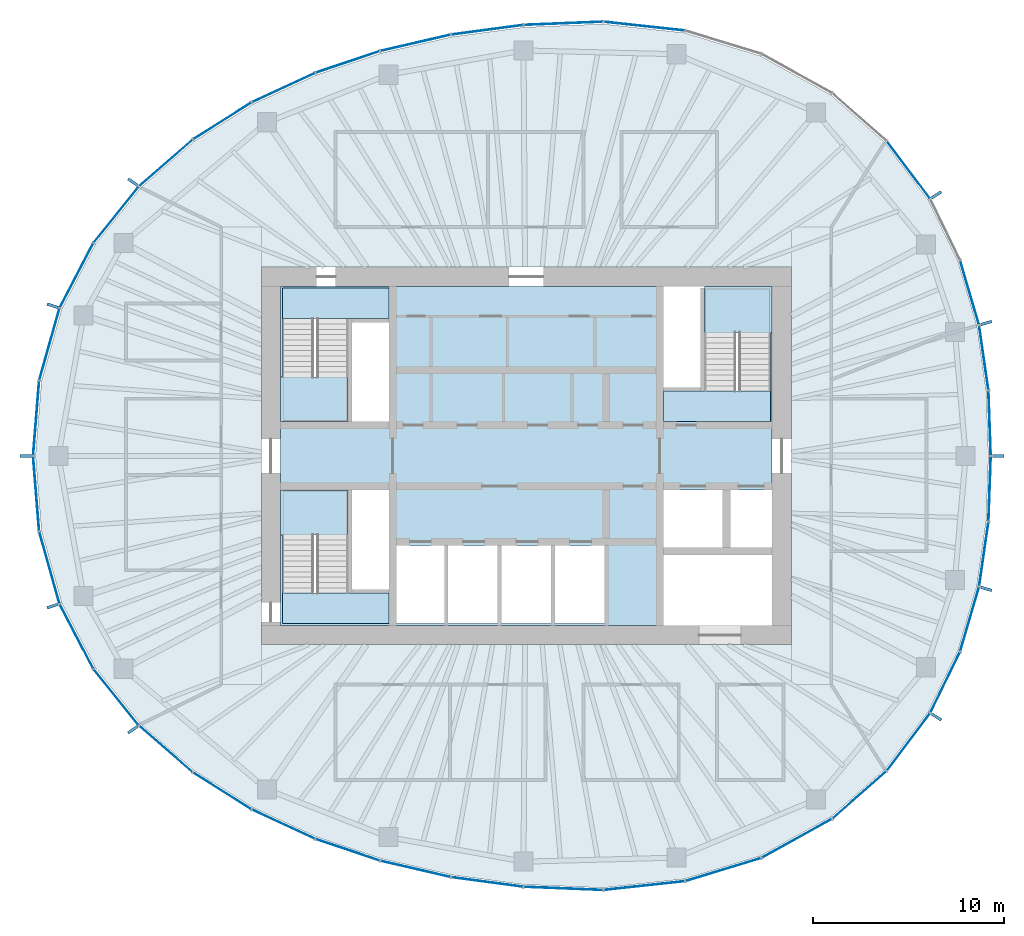
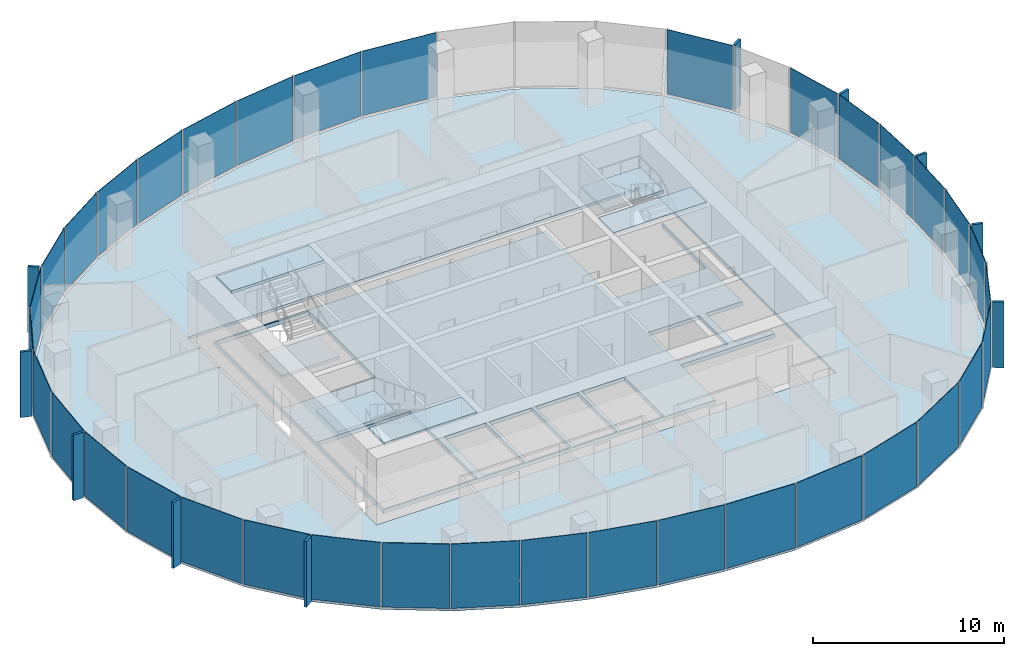
# One storey, part 7 of 11: 46 plates, 8 slabs, 22 elements without a shape of their own.
"""IFC4 building model written with IfcOpenShell, lengths in metres."""

from ifc_helpers import new_model, si_unit, direction, frame, origin, origin_2d, place, context, subcontext, project, spatial, polyline, rectangle, outline, extrude, material, layer, layer_set, type_object, element, aggregate, save


model = new_model("IFC4")

# Units and contexts
model_context = context("Model", 3, precision=1e-05, world=origin(), true_north=direction((0.0, 1.0)))
body_context = subcontext(model_context, "Body", "Model", "MODEL_VIEW")
ifc_project = project(units=[si_unit("LENGTHUNIT", "METRE"), si_unit("AREAUNIT", "SQUARE_METRE"), si_unit("VOLUMEUNIT", "CUBIC_METRE"), si_unit("PLANEANGLEUNIT", "RADIAN"), si_unit("MASSUNIT", "GRAM", prefix="KILO")], contexts=[model_context])

# Site, building, storey
site_placement = place(None, origin())
site = spatial("IfcSite", under=ifc_project, at=site_placement, CompositionType="ELEMENT")
building_placement = place(site_placement, origin())
building = spatial("IfcBuilding", under=site, at=building_placement, Name="Ghaith Harvest Tower", CompositionType="ELEMENT")
storey_placement = place(building_placement, frame((0.0, 0.0, 325.800048828125)))
storey = spatial("IfcBuildingStorey", under=building, at=storey_placement, Name="L73", CompositionType="ELEMENT", Elevation=325.800048828125)

# Curtain wall, plates
ifc_material_1 = material(Name="Black anodised aluminium and fritted glass", Category="aluminium")
curtain_wall_type = type_object("IfcCurtainWallType", Name="CW-T CURTAIN WALL", PredefinedType="NOTDEFINED", material=ifc_material_1)
curtain_wall_1_placement = place(storey_placement, origin())
curtain_wall_1 = element("IfcCurtainWall", 1, at=curtain_wall_1_placement, inside=storey, type_object=curtain_wall_type, Name="Curtain wall CW-T bay 01 L73", PredefinedType="NOTDEFINED")
ifc_material_2 = material(Name="Glass, dark solar-control fritted double glazed unit", Category="glass")
ifc_layer_1 = layer(ifc_material_2, 0.033935546875)
ifc_layer_set_1 = layer_set([ifc_layer_1], Name="CW-T VISION PANEL")
plate_type_1 = type_object("IfcPlateType", Name="CW-T VISION PANEL", PredefinedType="CURTAIN_PANEL", material=ifc_layer_set_1)
plate_1_placement = place(storey_placement, frame((24.308837890625, 1.716796875, 0.079833984375), z_axis=(0.0, 0.0, 1.0), x_axis=(-0.035536161859, 0.999368391135, 0.0)))
plate_1 = element("IfcPlate", 2, at=plate_1_placement, type_object=plate_type_1, Name="CW-T glass unit 1 bay 01 L73", PredefinedType="CURTAIN_PANEL", context=body_context, shape_type="SweptSolid", body=[
    extrude(rectangle(XDim=3.35595703125, YDim=0.033935546875, at=origin_2d()), origin(), (0.0, 0.0, 1.0), 4.1201171875),
])
plate_2_placement = place(storey_placement, frame((24.00048828125, 5.1494140625, 0.079833984375), z_axis=(0.0, 0.0, 1.0), x_axis=(-0.142729771229, 0.989761694755, 0.0)))
plate_2 = element("IfcPlate", 3, at=plate_2_placement, type_object=plate_type_1, Name="CW-T glass unit 2 bay 01 L73", PredefinedType="CURTAIN_PANEL", context=body_context, shape_type="SweptSolid", body=[
    extrude(rectangle(XDim=3.38671875, YDim=0.033935546875, at=origin_2d()), origin(), (0.0, 0.0, 1.0), 4.1201171875),
])
aggregate(curtain_wall_1, [plate_1, plate_2])

# Curtain wall, plate
curtain_wall_2_placement = place(storey_placement, origin())
curtain_wall_2 = element("IfcCurtainWall", 4, at=curtain_wall_2_placement, inside=storey, type_object=curtain_wall_type, Name="Curtain wall CW-T bay 02 L73", PredefinedType="NOTDEFINED")
plate_3_placement = place(storey_placement, frame((23.253662109375, 8.56884765625, 0.079833984375), z_axis=(0.0, 0.0, 1.0), x_axis=(-0.281344622776, 0.959606796159, 0.0)))
plate_3 = element("IfcPlate", 5, at=plate_3_placement, type_object=plate_type_1, Name="CW-T glass unit 1 bay 02 L73", PredefinedType="CURTAIN_PANEL", context=body_context, shape_type="SweptSolid", body=[
    extrude(rectangle(XDim=3.470703125, YDim=0.033935546875, at=origin_2d()), origin(), (0.0, 0.0, 1.0), 4.1201171875),
])
aggregate(curtain_wall_2, [plate_3])

curtain_wall_3_placement = place(storey_placement, origin())
curtain_wall_3 = element("IfcCurtainWall", 6, at=curtain_wall_3_placement, inside=storey, type_object=curtain_wall_type, Name="Curtain wall CW-T bay 03 L73", PredefinedType="NOTDEFINED")
plate_4_placement = place(storey_placement, frame((20.045166015625, 15.006103515625, 0.079833984375), z_axis=(0.0, 0.0, 1.0), x_axis=(-0.601047892764, 0.799213007029, 0.0)))
plate_4 = element("IfcPlate", 7, at=plate_4_placement, type_object=plate_type_1, Name="CW-T glass unit 1 bay 03 L73", PredefinedType="CURTAIN_PANEL", context=body_context, shape_type="SweptSolid", body=[
    extrude(rectangle(XDim=3.7265625, YDim=0.033935546875, at=origin_2d()), origin(), (0.0, 0.0, 1.0), 4.1201171875),
])
aggregate(curtain_wall_3, [plate_4])

# Curtain wall, plates
curtain_wall_4_placement = place(storey_placement, origin())
curtain_wall_4 = element("IfcCurtainWall", 8, at=curtain_wall_4_placement, inside=storey, type_object=curtain_wall_type, Name="Curtain wall CW-T bay 05 L73", PredefinedType="NOTDEFINED")
plate_5_placement = place(storey_placement, frame((6.188720703125, 22.542724609375, 0.079833984375), z_axis=(0.0, 0.0, 1.0), x_axis=(-0.994142883447, 0.108073712304, 0.0)))
plate_5 = element("IfcPlate", 9, at=plate_5_placement, type_object=plate_type_1, Name="CW-T glass unit 1 bay 05 L73", PredefinedType="CURTAIN_PANEL", context=body_context, shape_type="SweptSolid", body=[
    extrude(rectangle(XDim=4.24755859375, YDim=0.033935546875, at=origin_2d()), origin(), (0.0, 0.0, 1.0), 4.1201171875),
])
plate_6_placement = place(storey_placement, frame((1.94140625, 22.691162109375, 0.079833984375), z_axis=(0.0, 0.0, 1.0), x_axis=(-0.999173925852, -0.040638231968, 0.0)))
plate_6 = element("IfcPlate", 10, at=plate_6_placement, type_object=plate_type_1, Name="CW-T glass unit 2 bay 05 L73", PredefinedType="CURTAIN_PANEL", context=body_context, shape_type="SweptSolid", body=[
    extrude(rectangle(XDim=4.115966796875, YDim=0.033935546875, at=origin_2d()), origin(), (0.0, 0.0, 1.0), 4.1201171875),
])
aggregate(curtain_wall_4, [plate_5, plate_6])

curtain_wall_5_placement = place(storey_placement, origin())
curtain_wall_5 = element("IfcCurtainWall", 11, at=curtain_wall_5_placement, inside=storey, type_object=curtain_wall_type, Name="Curtain wall CW-T bay 06 L73", PredefinedType="NOTDEFINED")
plate_7_placement = place(storey_placement, frame((-2.050537109375, 22.352294921875, 0.079833984375), z_axis=(0.0, 0.0, 1.0), x_axis=(-0.991165262661, -0.132632658474, 0.0)))
plate_7 = element("IfcPlate", 12, at=plate_7_placement, type_object=plate_type_1, Name="CW-T glass unit 1 bay 06 L73", PredefinedType="CURTAIN_PANEL", context=body_context, shape_type="SweptSolid", body=[
    extrude(rectangle(XDim=3.74560546875, YDim=0.033935546875, at=origin_2d()), origin(), (0.0, 0.0, 1.0), 4.1201171875),
])
plate_8_placement = place(storey_placement, frame((-5.80859375, 21.66845703125, 0.079833984375), z_axis=(0.0, 0.0, 1.0), x_axis=(-0.974342245415, -0.225071519297, 0.0)))
plate_8 = element("IfcPlate", 13, at=plate_8_placement, type_object=plate_type_1, Name="CW-T glass unit 2 bay 06 L73", PredefinedType="CURTAIN_PANEL", context=body_context, shape_type="SweptSolid", body=[
    extrude(rectangle(XDim=3.742431640625, YDim=0.033935546875, at=origin_2d()), origin(), (0.0, 0.0, 1.0), 4.1201171875),
])
aggregate(curtain_wall_5, [plate_7, plate_8])

curtain_wall_6_placement = place(storey_placement, origin())
curtain_wall_6 = element("IfcCurtainWall", 14, at=curtain_wall_6_placement, inside=storey, type_object=curtain_wall_type, Name="Curtain wall CW-T bay 07 L73", PredefinedType="NOTDEFINED")
plate_9_placement = place(storey_placement, frame((-9.369140625, 20.665771484375, 0.079833984375), z_axis=(0.0, 0.0, 1.0), x_axis=(-0.947586403329, -0.319499621637, 0.0)))
plate_9 = element("IfcPlate", 15, at=plate_9_placement, type_object=plate_type_1, Name="CW-T glass unit 1 bay 07 L73", PredefinedType="CURTAIN_PANEL", context=body_context, shape_type="SweptSolid", body=[
    extrude(rectangle(XDim=3.50439453125, YDim=0.033935546875, at=origin_2d()), origin(), (0.0, 0.0, 1.0), 4.1201171875),
])
plate_10_placement = place(storey_placement, frame((-12.736083984375, 19.3203125, 0.079833984375), z_axis=(0.0, 0.0, 1.0), x_axis=(-0.907450165401, -0.420159728334, 0.0)))
plate_10 = element("IfcPlate", 16, at=plate_10_placement, type_object=plate_type_1, Name="CW-T glass unit 2 bay 07 L73", PredefinedType="CURTAIN_PANEL", context=body_context, shape_type="SweptSolid", body=[
    extrude(rectangle(XDim=3.597900390625, YDim=0.033935546875, at=origin_2d()), origin(), (0.0, 0.0, 1.0), 4.1201171875),
])
aggregate(curtain_wall_6, [plate_9, plate_10])

curtain_wall_7_placement = place(storey_placement, origin())
curtain_wall_7 = element("IfcCurtainWall", 17, at=curtain_wall_7_placement, inside=storey, type_object=curtain_wall_type, Name="Curtain wall CW-T bay 08 L73", PredefinedType="NOTDEFINED")
plate_11_placement = place(storey_placement, frame((-15.94970703125, 17.57421875, 0.079833984375), z_axis=(0.0, 0.0, 1.0), x_axis=(-0.846043473903, -0.533113909279, 0.0)))
plate_11 = element("IfcPlate", 18, at=plate_11_placement, type_object=plate_type_1, Name="CW-T glass unit 1 bay 08 L73", PredefinedType="CURTAIN_PANEL", context=body_context, shape_type="SweptSolid", body=[
    extrude(rectangle(XDim=3.572021484375, YDim=0.033935546875, at=origin_2d()), origin(), (0.0, 0.0, 1.0), 4.1201171875),
])
plate_12_placement = place(storey_placement, frame((-18.909423828125, 15.371337890625, 0.079833984375), z_axis=(0.0, 0.0, 1.0), x_axis=(-0.754828549513, -0.655922145411, 0.0)))
plate_12 = element("IfcPlate", 19, at=plate_12_placement, type_object=plate_type_1, Name="CW-T glass unit 2 bay 08 L73", PredefinedType="CURTAIN_PANEL", context=body_context, shape_type="SweptSolid", body=[
    extrude(rectangle(XDim=3.668701171875, YDim=0.033935546875, at=origin_2d()), origin(), (0.0, 0.0, 1.0), 4.1201171875),
])
aggregate(curtain_wall_7, [plate_11, plate_12])

curtain_wall_8_placement = place(storey_placement, origin())
curtain_wall_8 = element("IfcCurtainWall", 20, at=curtain_wall_8_placement, inside=storey, type_object=curtain_wall_type, Name="Curtain wall CW-T bay 09 L73", PredefinedType="NOTDEFINED")
plate_13_placement = place(storey_placement, frame((-21.515380859375, 12.6591796875, 0.079833984375), z_axis=(0.0, 0.0, 1.0), x_axis=(-0.626229505742, -0.779638766441, 0.0)))
plate_13 = element("IfcPlate", 21, at=plate_13_placement, type_object=plate_type_1, Name="CW-T glass unit 1 bay 09 L73", PredefinedType="CURTAIN_PANEL", context=body_context, shape_type="SweptSolid", body=[
    extrude(rectangle(XDim=3.723388671875, YDim=0.033935546875, at=origin_2d()), origin(), (0.0, 0.0, 1.0), 4.1201171875),
])
plate_14_placement = place(storey_placement, frame((-23.594482421875, 9.4677734375, 0.079833984375), z_axis=(0.0, 0.0, 1.0), x_axis=(-0.461229945578, -0.887280641794, 0.0)))
plate_14 = element("IfcPlate", 22, at=plate_14_placement, type_object=plate_type_1, Name="CW-T glass unit 2 bay 09 L73", PredefinedType="CURTAIN_PANEL", context=body_context, shape_type="SweptSolid", body=[
    extrude(rectangle(XDim=3.771728515625, YDim=0.033935546875, at=origin_2d()), origin(), (0.0, 0.0, 1.0), 4.1201171875),
])
aggregate(curtain_wall_8, [plate_13, plate_14])

curtain_wall_9_placement = place(storey_placement, origin())
curtain_wall_9 = element("IfcCurtainWall", 23, at=curtain_wall_9_placement, inside=storey, type_object=curtain_wall_type, Name="Curtain wall CW-T bay 10 L73", PredefinedType="NOTDEFINED")
plate_15_placement = place(storey_placement, frame((-25.017333984375, 5.85546875, 0.079833984375), z_axis=(0.0, 0.0, 1.0), x_axis=(-0.270355239749, -0.962760637095, 0.0)))
plate_15 = element("IfcPlate", 24, at=plate_15_placement, type_object=plate_type_1, Name="CW-T glass unit 1 bay 10 L73", PredefinedType="CURTAIN_PANEL", context=body_context, shape_type="SweptSolid", body=[
    extrude(rectangle(XDim=3.874267578125, YDim=0.033935546875, at=origin_2d()), origin(), (0.0, 0.0, 1.0), 4.1201171875),
])
plate_16_placement = place(storey_placement, frame((-25.7109375, 1.97607421875, 0.079833984375), z_axis=(0.0, 0.0, 1.0), x_axis=(-0.080257648011, -0.99677415192, 0.0)))
plate_16 = element("IfcPlate", 25, at=plate_16_placement, type_object=plate_type_1, Name="CW-T glass unit 2 bay 10 L73", PredefinedType="CURTAIN_PANEL", context=body_context, shape_type="SweptSolid", body=[
    extrude(rectangle(XDim=3.884765625, YDim=0.033935546875, at=origin_2d()), origin(), (0.0, 0.0, 1.0), 4.1201171875),
])
aggregate(curtain_wall_9, [plate_15, plate_16])

curtain_wall_10_placement = place(storey_placement, origin())
curtain_wall_10 = element("IfcCurtainWall", 26, at=curtain_wall_10_placement, inside=storey, type_object=curtain_wall_type, Name="Curtain wall CW-T bay 11 L73", PredefinedType="NOTDEFINED")
plate_17_placement = place(storey_placement, frame((-25.7109375, -1.97607421875, 0.079833984375), z_axis=(0.0, 0.0, 1.0), x_axis=(0.080257648324, -0.996774151895, 0.0)))
plate_17 = element("IfcPlate", 27, at=plate_17_placement, type_object=plate_type_1, Name="CW-T glass unit 1 bay 11 L73", PredefinedType="CURTAIN_PANEL", context=body_context, shape_type="SweptSolid", body=[
    extrude(rectangle(XDim=3.884765625, YDim=0.033935546875, at=origin_2d()), origin(), (0.0, 0.0, 1.0), 4.1201171875),
])
plate_18_placement = place(storey_placement, frame((-25.017333984375, -5.85546875, 0.079833984375), z_axis=(0.0, 0.0, 1.0), x_axis=(0.27035523953, -0.962760637157, 0.0)))
plate_18 = element("IfcPlate", 28, at=plate_18_placement, type_object=plate_type_1, Name="CW-T glass unit 2 bay 11 L73", PredefinedType="CURTAIN_PANEL", context=body_context, shape_type="SweptSolid", body=[
    extrude(rectangle(XDim=3.874267578125, YDim=0.033935546875, at=origin_2d()), origin(), (0.0, 0.0, 1.0), 4.1201171875),
])
aggregate(curtain_wall_10, [plate_17, plate_18])

curtain_wall_11_placement = place(storey_placement, origin())
curtain_wall_11 = element("IfcCurtainWall", 29, at=curtain_wall_11_placement, inside=storey, type_object=curtain_wall_type, Name="Curtain wall CW-T bay 12 L73", PredefinedType="NOTDEFINED")
plate_19_placement = place(storey_placement, frame((-23.594482421875, -9.4677734375, 0.079833984375), z_axis=(0.0, 0.0, 1.0), x_axis=(0.461229945377, -0.887280641898, 0.0)))
plate_19 = element("IfcPlate", 30, at=plate_19_placement, type_object=plate_type_1, Name="CW-T glass unit 1 bay 12 L73", PredefinedType="CURTAIN_PANEL", context=body_context, shape_type="SweptSolid", body=[
    extrude(rectangle(XDim=3.771728515625, YDim=0.033935546875, at=origin_2d()), origin(), (0.0, 0.0, 1.0), 4.1201171875),
])
plate_20_placement = place(storey_placement, frame((-21.515380859375, -12.6591796875, 0.079833984375), z_axis=(0.0, 0.0, 1.0), x_axis=(0.626229505565, -0.779638766583, 0.0)))
plate_20 = element("IfcPlate", 31, at=plate_20_placement, type_object=plate_type_1, Name="CW-T glass unit 2 bay 12 L73", PredefinedType="CURTAIN_PANEL", context=body_context, shape_type="SweptSolid", body=[
    extrude(rectangle(XDim=3.723388671875, YDim=0.033935546875, at=origin_2d()), origin(), (0.0, 0.0, 1.0), 4.1201171875),
])
aggregate(curtain_wall_11, [plate_19, plate_20])

curtain_wall_12_placement = place(storey_placement, origin())
curtain_wall_12 = element("IfcCurtainWall", 32, at=curtain_wall_12_placement, inside=storey, type_object=curtain_wall_type, Name="Curtain wall CW-T bay 13 L73", PredefinedType="NOTDEFINED")
plate_21_placement = place(storey_placement, frame((-18.909423828125, -15.371337890625, 0.079833984375), z_axis=(0.0, 0.0, 1.0), x_axis=(0.754828549376, -0.655922145569, 0.0)))
plate_21 = element("IfcPlate", 33, at=plate_21_placement, type_object=plate_type_1, Name="CW-T glass unit 1 bay 13 L73", PredefinedType="CURTAIN_PANEL", context=body_context, shape_type="SweptSolid", body=[
    extrude(rectangle(XDim=3.668701171875, YDim=0.033935546875, at=origin_2d()), origin(), (0.0, 0.0, 1.0), 4.1201171875),
])
plate_22_placement = place(storey_placement, frame((-15.94970703125, -17.57421875, 0.079833984375), z_axis=(0.0, 0.0, 1.0), x_axis=(0.846043474052, -0.533113909042, 0.0)))
plate_22 = element("IfcPlate", 34, at=plate_22_placement, type_object=plate_type_1, Name="CW-T glass unit 2 bay 13 L73", PredefinedType="CURTAIN_PANEL", context=body_context, shape_type="SweptSolid", body=[
    extrude(rectangle(XDim=3.572021484375, YDim=0.033935546875, at=origin_2d()), origin(), (0.0, 0.0, 1.0), 4.1201171875),
])
aggregate(curtain_wall_12, [plate_21, plate_22])

curtain_wall_13_placement = place(storey_placement, origin())
curtain_wall_13 = element("IfcCurtainWall", 35, at=curtain_wall_13_placement, inside=storey, type_object=curtain_wall_type, Name="Curtain wall CW-T bay 14 L73", PredefinedType="NOTDEFINED")
plate_23_placement = place(storey_placement, frame((-12.736083984375, -19.3203125, 0.079833984375), z_axis=(0.0, 0.0, 1.0), x_axis=(0.907450165812, -0.420159727447, 0.0)))
plate_23 = element("IfcPlate", 36, at=plate_23_placement, type_object=plate_type_1, Name="CW-T glass unit 1 bay 14 L73", PredefinedType="CURTAIN_PANEL", context=body_context, shape_type="SweptSolid", body=[
    extrude(rectangle(XDim=3.597900390625, YDim=0.033935546875, at=origin_2d()), origin(), (0.0, 0.0, 1.0), 4.1201171875),
])
plate_24_placement = place(storey_placement, frame((-9.369140625, -20.665771484375, 0.079833984375), z_axis=(0.0, 0.0, 1.0), x_axis=(0.947586403597, -0.319499620843, 0.0)))
plate_24 = element("IfcPlate", 37, at=plate_24_placement, type_object=plate_type_1, Name="CW-T glass unit 2 bay 14 L73", PredefinedType="CURTAIN_PANEL", context=body_context, shape_type="SweptSolid", body=[
    extrude(rectangle(XDim=3.50439453125, YDim=0.033935546875, at=origin_2d()), origin(), (0.0, 0.0, 1.0), 4.1201171875),
])
aggregate(curtain_wall_13, [plate_23, plate_24])

curtain_wall_14_placement = place(storey_placement, origin())
curtain_wall_14 = element("IfcCurtainWall", 38, at=curtain_wall_14_placement, inside=storey, type_object=curtain_wall_type, Name="Curtain wall CW-T bay 15 L73", PredefinedType="NOTDEFINED")
plate_25_placement = place(storey_placement, frame((-5.80859375, -21.66845703125, 0.079833984375), z_axis=(0.0, 0.0, 1.0), x_axis=(0.974342245521, -0.225071518838, 0.0)))
plate_25 = element("IfcPlate", 39, at=plate_25_placement, type_object=plate_type_1, Name="CW-T glass unit 1 bay 15 L73", PredefinedType="CURTAIN_PANEL", context=body_context, shape_type="SweptSolid", body=[
    extrude(rectangle(XDim=3.742431640625, YDim=0.033935546875, at=origin_2d()), origin(), (0.0, 0.0, 1.0), 4.1201171875),
])
plate_26_placement = place(storey_placement, frame((-2.050537109375, -22.352294921875, 0.079833984375), z_axis=(0.0, 0.0, 1.0), x_axis=(0.991165262684, -0.132632658301, 0.0)))
plate_26 = element("IfcPlate", 40, at=plate_26_placement, type_object=plate_type_1, Name="CW-T glass unit 2 bay 15 L73", PredefinedType="CURTAIN_PANEL", context=body_context, shape_type="SweptSolid", body=[
    extrude(rectangle(XDim=3.74560546875, YDim=0.033935546875, at=origin_2d()), origin(), (0.0, 0.0, 1.0), 4.1201171875),
])
aggregate(curtain_wall_14, [plate_25, plate_26])

curtain_wall_15_placement = place(storey_placement, origin())
curtain_wall_15 = element("IfcCurtainWall", 41, at=curtain_wall_15_placement, inside=storey, type_object=curtain_wall_type, Name="Curtain wall CW-T bay 16 L73", PredefinedType="NOTDEFINED")
plate_27_placement = place(storey_placement, frame((1.94140625, -22.691162109375, 0.079833984375), z_axis=(0.0, 0.0, 1.0), x_axis=(0.999173925863, -0.040638231706, 0.0)))
plate_27 = element("IfcPlate", 42, at=plate_27_placement, type_object=plate_type_1, Name="CW-T glass unit 1 bay 16 L73", PredefinedType="CURTAIN_PANEL", context=body_context, shape_type="SweptSolid", body=[
    extrude(rectangle(XDim=4.115966796875, YDim=0.033935546875, at=origin_2d()), origin(), (0.0, 0.0, 1.0), 4.1201171875),
])
plate_28_placement = place(storey_placement, frame((6.188720703125, -22.542724609375, 0.079833984375), z_axis=(0.0, 0.0, 1.0), x_axis=(0.994142883417, 0.108073712581, 0.0)))
plate_28 = element("IfcPlate", 43, at=plate_28_placement, type_object=plate_type_1, Name="CW-T glass unit 2 bay 16 L73", PredefinedType="CURTAIN_PANEL", context=body_context, shape_type="SweptSolid", body=[
    extrude(rectangle(XDim=4.24755859375, YDim=0.033935546875, at=origin_2d()), origin(), (0.0, 0.0, 1.0), 4.1201171875),
])
aggregate(curtain_wall_15, [plate_27, plate_28])

curtain_wall_16_placement = place(storey_placement, origin())
curtain_wall_16 = element("IfcCurtainWall", 44, at=curtain_wall_16_placement, inside=storey, type_object=curtain_wall_type, Name="Curtain wall CW-T bay 17 L73", PredefinedType="NOTDEFINED")
plate_29_placement = place(storey_placement, frame((10.337158203125, -21.700439453125, 0.079833984375), z_axis=(0.0, 0.0, 1.0), x_axis=(0.956587736012, 0.291444511548, 0.0)))
plate_29 = element("IfcPlate", 45, at=plate_29_placement, type_object=plate_type_1, Name="CW-T glass unit 1 bay 17 L73", PredefinedType="CURTAIN_PANEL", context=body_context, shape_type="SweptSolid", body=[
    extrude(rectangle(XDim=4.095703125, YDim=0.033935546875, at=origin_2d()), origin(), (0.0, 0.0, 1.0), 4.1201171875),
])
plate_30_placement = place(storey_placement, frame((14.19189453125, -20.06201171875, 0.079833984375), z_axis=(0.0, 0.0, 1.0), x_axis=(0.874564022715, 0.484910064004, 0.0)))
plate_30 = element("IfcPlate", 46, at=plate_30_placement, type_object=plate_type_1, Name="CW-T glass unit 2 bay 17 L73", PredefinedType="CURTAIN_PANEL", context=body_context, shape_type="SweptSolid", body=[
    extrude(rectangle(XDim=4.167724609375, YDim=0.033935546875, at=origin_2d()), origin(), (0.0, 0.0, 1.0), 4.1201171875),
])
aggregate(curtain_wall_16, [plate_29, plate_30])

curtain_wall_17_placement = place(storey_placement, origin())
curtain_wall_17 = element("IfcCurtainWall", 47, at=curtain_wall_17_placement, inside=storey, type_object=curtain_wall_type, Name="Curtain wall CW-T bay 18 L73", PredefinedType="NOTDEFINED")
plate_31_placement = place(storey_placement, frame((17.47509765625, -17.779541015625, 0.079833984375), z_axis=(0.0, 0.0, 1.0), x_axis=(0.751334532577, 0.659921525757, 0.0)))
plate_31 = element("IfcPlate", 48, at=plate_31_placement, type_object=plate_type_1, Name="CW-T glass unit 1 bay 18 L73", PredefinedType="CURTAIN_PANEL", context=body_context, shape_type="SweptSolid", body=[
    extrude(rectangle(XDim=3.7158203125, YDim=0.033935546875, at=origin_2d()), origin(), (0.0, 0.0, 1.0), 4.1201171875),
])
plate_32_placement = place(storey_placement, frame((20.045166015625, -15.006103515625, 0.079833984375), z_axis=(0.0, 0.0, 1.0), x_axis=(0.601047892945, 0.799213006892, 0.0)))
plate_32 = element("IfcPlate", 49, at=plate_32_placement, type_object=plate_type_1, Name="CW-T glass unit 2 bay 18 L73", PredefinedType="CURTAIN_PANEL", context=body_context, shape_type="SweptSolid", body=[
    extrude(rectangle(XDim=3.7265625, YDim=0.033935546875, at=origin_2d()), origin(), (0.0, 0.0, 1.0), 4.1201171875),
])
aggregate(curtain_wall_17, [plate_31, plate_32])

curtain_wall_18_placement = place(storey_placement, origin())
curtain_wall_18 = element("IfcCurtainWall", 50, at=curtain_wall_18_placement, inside=storey, type_object=curtain_wall_type, Name="Curtain wall CW-T bay 19 L73", PredefinedType="NOTDEFINED")
plate_33_placement = place(storey_placement, frame((21.9716796875, -11.878662109375, 0.079833984375), z_axis=(0.0, 0.0, 1.0), x_axis=(0.437968365352, 0.898990384237, 0.0)))
plate_33 = element("IfcPlate", 51, at=plate_33_placement, type_object=plate_type_1, Name="CW-T glass unit 1 bay 19 L73", PredefinedType="CURTAIN_PANEL", context=body_context, shape_type="SweptSolid", body=[
    extrude(rectangle(XDim=3.49365234375, YDim=0.033935546875, at=origin_2d()), origin(), (0.0, 0.0, 1.0), 4.1201171875),
])
plate_34_placement = place(storey_placement, frame((23.253662109375, -8.56884765625, 0.079833984375), z_axis=(0.0, 0.0, 1.0), x_axis=(0.281344622977, 0.9596067961, 0.0)))
plate_34 = element("IfcPlate", 52, at=plate_34_placement, type_object=plate_type_1, Name="CW-T glass unit 2 bay 19 L73", PredefinedType="CURTAIN_PANEL", context=body_context, shape_type="SweptSolid", body=[
    extrude(rectangle(XDim=3.470703125, YDim=0.033935546875, at=origin_2d()), origin(), (0.0, 0.0, 1.0), 4.1201171875),
])
aggregate(curtain_wall_18, [plate_33, plate_34])

curtain_wall_19_placement = place(storey_placement, origin())
curtain_wall_19 = element("IfcCurtainWall", 53, at=curtain_wall_19_placement, inside=storey, type_object=curtain_wall_type, Name="Curtain wall CW-T bay 20 L73", PredefinedType="NOTDEFINED")
plate_35_placement = place(storey_placement, frame((24.00048828125, -5.1494140625, 0.079833984375), z_axis=(0.0, 0.0, 1.0), x_axis=(0.142729771402, 0.98976169473, 0.0)))
plate_35 = element("IfcPlate", 54, at=plate_35_placement, type_object=plate_type_1, Name="CW-T glass unit 1 bay 20 L73", PredefinedType="CURTAIN_PANEL", context=body_context, shape_type="SweptSolid", body=[
    extrude(rectangle(XDim=3.38671875, YDim=0.033935546875, at=origin_2d()), origin(), (0.0, 0.0, 1.0), 4.1201171875),
])
plate_36_placement = place(storey_placement, frame((24.308837890625, -1.716796875, 0.079833984375), z_axis=(0.0, 0.0, 1.0), x_axis=(0.035536161929, 0.999368391133, 0.0)))
plate_36 = element("IfcPlate", 55, at=plate_36_placement, type_object=plate_type_1, Name="CW-T glass unit 2 bay 20 L73", PredefinedType="CURTAIN_PANEL", context=body_context, shape_type="SweptSolid", body=[
    extrude(rectangle(XDim=3.35595703125, YDim=0.033935546875, at=origin_2d()), origin(), (0.0, 0.0, 1.0), 4.1201171875),
])
aggregate(curtain_wall_19, [plate_35, plate_36])

# Slabs
ifc_material_3 = material(Name="Concrete C40/50", Category="concrete")
ifc_layer_2 = layer(ifc_material_3, 0.169921875)
ifc_layer_set_2 = layer_set([ifc_layer_2], Name="FLOOR SLAB 170")
slab_type_1 = type_object("IfcSlabType", Name="FLOOR SLAB 170", PredefinedType="FLOOR", material=ifc_layer_set_2)
slab_1_placement = place(storey_placement, frame((0.0, 0.0, -0.170166015625)))
element("IfcSlab", 56, at=slab_1_placement, inside=storey, type_object=slab_type_1, Name="Floor slab L73", PredefinedType="FLOOR", context=body_context, shape_type="SweptSolid", body=[
    extrude(outline(polyline([(24.25, 0.0), (24.129150390625, 3.4169921875), (23.6376953125, 6.831787109375), (22.644775390625, 10.222900390625), (21.087890625, 13.42041015625), (18.810791015625, 16.4482421875), (15.971923828125, 18.940185546875), (12.273681640625, 20.98828125), (8.2978515625, 22.1962890625), (4.016845703125, 22.658447265625), (-0.15380859375, 22.486083984375), (-3.92529296875, 21.98046875), (-7.6298828125, 21.12548828125), (-11.009521484375, 19.98779296875), (-14.331298828125, 18.452880859375), (-17.40771484375, 16.518310546875), (-20.225830078125, 14.0732421875), (-22.5986328125, 11.12353515625), (-24.368408203125, 7.722900390625), (-25.43310546875, 3.93359375), (-25.75, 0.0), (-25.43310546875, -3.93359375), (-24.368408203125, -7.722900390625), (-22.5986328125, -11.12353515625), (-20.225830078125, -14.0732421875), (-17.40771484375, -16.518310546875), (-14.331298828125, -18.452880859375), (-11.009521484375, -19.98779296875), (-7.6298828125, -21.12548828125), (-3.92529296875, -21.98046875), (-0.15380859375, -22.486083984375), (4.016845703125, -22.658447265625), (8.2978515625, -22.1962890625), (12.273681640625, -20.98828125), (15.971923828125, -18.940185546875), (18.810791015625, -16.4482421875), (21.087890625, -13.42041015625), (22.644775390625, -10.222900390625), (23.6376953125, -6.831787109375), (24.129150390625, -3.4169921875), (24.25, 0.0)]), holes=[polyline([(-13.89990234375, -9.89990234375), (13.89990234375, -9.89990234375), (13.89990234375, 9.89990234375), (-13.89990234375, 9.89990234375), (-13.89990234375, -9.89990234375)])]), origin(), (0.0, 0.0, 1.0), 0.170166015625),
])
ifc_material_4 = material(Name="Concrete C40/50", Category="concrete")
ifc_layer_3 = layer(ifc_material_4, 0.25)
ifc_layer_set_3 = layer_set([ifc_layer_3], Name="FLOOR SLAB 250")
slab_type_2 = type_object("IfcSlabType", Name="FLOOR SLAB 250", PredefinedType="FLOOR", material=ifc_layer_set_3)
slab_2_placement = place(storey_placement, frame((0.0, 0.0, -0.25)))
element("IfcSlab", 57, at=slab_2_placement, inside=storey, type_object=slab_type_2, Name="Core slab L73", PredefinedType="FLOOR", context=body_context, shape_type="SweptSolid", body=[
    extrude(outline(polyline([(-12.89990234375, 8.89990234375), (7.199951171875, 8.89990234375), (7.199951171875, 1.800048828125), (12.800048828125, 1.800048828125), (12.800048828125, 6.4599609375), (12.89990234375, 6.4599609375), (12.89990234375, -1.800048828125), (10.699951171875, -1.800048828125), (10.699951171875, -4.800048828125), (12.89990234375, -4.800048828125), (12.89990234375, -5.199951171875), (7.199951171875, -5.199951171875), (7.199951171875, -8.89990234375), (-12.89990234375, -8.89990234375), (-12.89990234375, 8.89990234375)]), holes=[polyline([(-4.300048828125, -4.699951171875), (-6.800048828125, -4.699951171875), (-6.800048828125, -8.800048828125), (-4.300048828125, -8.800048828125), (-4.300048828125, -4.699951171875)]), polyline([(-1.5, -4.699951171875), (-4.10009765625, -4.699951171875), (-4.10009765625, -8.800048828125), (-1.5, -8.800048828125), (-1.5, -4.699951171875)]), polyline([(1.300048828125, -8.800048828125), (1.300048828125, -4.699951171875), (-1.300048828125, -4.699951171875), (-1.300048828125, -8.800048828125), (1.300048828125, -8.800048828125)]), polyline([(4.10009765625, -8.800048828125), (4.10009765625, -4.699951171875), (1.5, -4.699951171875), (1.5, -8.800048828125), (4.10009765625, -8.800048828125)]), polyline([(-7.199951171875, -1.800048828125), (-12.800048828125, -1.800048828125), (-12.800048828125, -8.800048828125), (-7.199951171875, -8.800048828125), (-7.199951171875, -1.800048828125)]), polyline([(10.300048828125, -1.800048828125), (7.199951171875, -1.800048828125), (7.199951171875, -4.800048828125), (10.300048828125, -4.800048828125), (10.300048828125, -1.800048828125)]), polyline([(-12.800048828125, 1.800048828125), (-7.199951171875, 1.800048828125), (-7.199951171875, 8.800048828125), (-12.800048828125, 8.800048828125), (-12.800048828125, 1.800048828125)])]), origin(), (0.0, 0.0, 1.0), 0.25),
])

# Stair, slabs
ifc_material_5 = material(Name="Concrete C40/50, precast", Category="concrete")
stair_type = type_object("IfcStairType", Name="CORE STAIR 24R", PredefinedType="HALF_TURN_STAIR", material=ifc_material_5)
stair_1_placement = place(storey_placement, origin())
stair_1 = element("IfcStair", 58, at=stair_1_placement, inside=storey, type_object=stair_type, Name="Stair ST1 L73", PredefinedType="HALF_TURN_STAIR")
ifc_material_6 = material(Name="Concrete C40/50, precast", Category="concrete")
ifc_layer_4 = layer(ifc_material_6, 0.179931640625)
ifc_layer_set_4 = layer_set([ifc_layer_4], Name="STAIR LANDING 180")
slab_type_3 = type_object("IfcSlabType", Name="STAIR LANDING 180", PredefinedType="LANDING", material=ifc_layer_set_4)
slab_3_placement = place(storey_placement, frame((0.0, 0.0, 1.919921875)))
slab_3 = element("IfcSlab", 59, at=slab_3_placement, type_object=slab_type_3, Name="ST1 landing 1", PredefinedType="LANDING", context=body_context, shape_type="SweptSolid", body=[
    extrude(outline(polyline([(-12.89990234375, 4.139892578125), (-12.89990234375, 1.800048828125), (-9.35009765625, 1.800048828125), (-9.35009765625, 4.139892578125), (-12.89990234375, 4.139892578125)])), origin(), (0.0, 0.0, 1.0), 0.179931640625),
])
slab_4_placement = place(storey_placement, frame((0.0, 0.0, 4.02001953125)))
slab_4 = element("IfcSlab", 60, at=slab_4_placement, type_object=slab_type_3, Name="ST1 landing 2", PredefinedType="LANDING", context=body_context, shape_type="SweptSolid", body=[
    extrude(outline(polyline([(-12.800048828125, 8.800048828125), (-12.800048828125, 7.199951171875), (-7.199951171875, 7.199951171875), (-7.199951171875, 8.800048828125), (-12.800048828125, 8.800048828125)])), origin(), (0.0, 0.0, 1.0), 0.179931640625),
])
aggregate(stair_1, [slab_3, slab_4])

stair_2_placement = place(storey_placement, origin())
stair_2 = element("IfcStair", 61, at=stair_2_placement, inside=storey, type_object=stair_type, Name="Stair ST3 L73", PredefinedType="HALF_TURN_STAIR")
slab_5_placement = place(storey_placement, frame((0.0, 0.0, 1.919921875)))
slab_5 = element("IfcSlab", 62, at=slab_5_placement, type_object=slab_type_3, Name="ST3 landing 1", PredefinedType="LANDING", context=body_context, shape_type="SweptSolid", body=[
    extrude(outline(polyline([(-12.89990234375, -4.139892578125), (-12.89990234375, -1.800048828125), (-9.35009765625, -1.800048828125), (-9.35009765625, -4.139892578125), (-12.89990234375, -4.139892578125)])), origin(), (0.0, 0.0, 1.0), 0.179931640625),
])
slab_6_placement = place(storey_placement, frame((0.0, 0.0, 4.02001953125)))
slab_6 = element("IfcSlab", 63, at=slab_6_placement, type_object=slab_type_3, Name="ST3 landing 2", PredefinedType="LANDING", context=body_context, shape_type="SweptSolid", body=[
    extrude(outline(polyline([(-12.800048828125, -8.800048828125), (-12.800048828125, -7.199951171875), (-7.199951171875, -7.199951171875), (-7.199951171875, -8.800048828125), (-12.800048828125, -8.800048828125)])), origin(), (0.0, 0.0, 1.0), 0.179931640625),
])
aggregate(stair_2, [slab_5, slab_6])

stair_3_placement = place(storey_placement, origin())
stair_3 = element("IfcStair", 64, at=stair_3_placement, inside=storey, type_object=stair_type, Name="Stair ST2 L73", PredefinedType="HALF_TURN_STAIR")
slab_7_placement = place(storey_placement, frame((0.0, 0.0, 1.919921875)))
slab_7 = element("IfcSlab", 65, at=slab_7_placement, type_object=slab_type_3, Name="ST2 landing 1", PredefinedType="LANDING", context=body_context, shape_type="SweptSolid", body=[
    extrude(outline(polyline([(12.89990234375, 6.4599609375), (12.89990234375, 8.89990234375), (9.35009765625, 8.89990234375), (9.35009765625, 6.4599609375), (12.89990234375, 6.4599609375)])), origin(), (0.0, 0.0, 1.0), 0.179931640625),
])
slab_8_placement = place(storey_placement, frame((0.0, 0.0, 4.02001953125)))
slab_8 = element("IfcSlab", 66, at=slab_8_placement, type_object=slab_type_3, Name="ST2 landing 2", PredefinedType="LANDING", context=body_context, shape_type="SweptSolid", body=[
    extrude(outline(polyline([(12.800048828125, 1.800048828125), (12.800048828125, 3.39990234375), (7.199951171875, 3.39990234375), (7.199951171875, 1.800048828125), (12.800048828125, 1.800048828125)])), origin(), (0.0, 0.0, 1.0), 0.179931640625),
])
aggregate(stair_3, [slab_7, slab_8])

# Plates
ifc_material_7 = material(Name="Glassfibre-reinforced concrete", Category="concrete")
ifc_layer_5 = layer(ifc_material_7, 0.14990234375)
ifc_layer_set_5 = layer_set([ifc_layer_5], Name="SUN-BREAKER FIN 600x150")
plate_type_2 = type_object("IfcPlateType", Name="SUN-BREAKER FIN 600x150", PredefinedType="USERDEFINED", material=ifc_layer_set_5)
for number, where, z_axis, x_axis, name in (
    (67, (24.760009765625, 0.0, 0.0), (0.0, 0.0, 1.0), (1.0, 0.0, 0.0), "Sun-breaker fin CW-T 1 bay 01 L73"),
    (68, (24.127685546875, 6.973388671875, 0.0), (0.0, 0.0, 1.0), (0.960680349985, 0.277656739792, 0.0), "Sun-breaker fin CW-T 1 bay 02 L73"),
    (69, (21.51806640625, 13.6943359375, 0.0), (0.0, 0.0, 1.0), (0.843643971464, 0.536903016766, 0.0), "Sun-breaker fin CW-T 1 bay 03 L73"),
    (70, (-20.64453125, 14.364501953125, 0.0), (0.0, 0.0, 1.0), (-0.820845486523, 0.571150319316, 0.0), "Sun-breaker fin CW-T 1 bay 09 L73"),
    (71, (-24.8544921875, 7.876708984375, 0.0), (0.0, 0.0, 1.0), (-0.953273219358, 0.302109531884, 0.0), "Sun-breaker fin CW-T 1 bay 10 L73"),
    (72, (-26.260009765625, 0.0, 0.0), (0.0, 0.0, 1.0), (-1.0, -4.19e-10, 0.0), "Sun-breaker fin CW-T 1 bay 11 L73"),
    (73, (-24.8544921875, -7.876708984375, 0.0), (0.0, 0.0, 1.0), (-0.953273219416, -0.302109531701, 0.0), "Sun-breaker fin CW-T 1 bay 12 L73"),
    (74, (-20.64453125, -14.364501953125, 0.0), (0.0, 0.0, 1.0), (-0.820845486622, -0.571150319173, 0.0), "Sun-breaker fin CW-T 1 bay 13 L73"),
    (75, (21.51806640625, -13.6943359375, 0.0), (0.0, 0.0, 1.0), (0.84364397137, -0.536903016913, 0.0), "Sun-breaker fin CW-T 1 bay 19 L73"),
    (76, (24.127685546875, -6.973388671875, 0.0), (0.0, 0.0, 1.0), (0.960680349932, -0.277656739976, 0.0), "Sun-breaker fin CW-T 1 bay 20 L73"),
):
    element("IfcPlate", number, at=place(storey_placement, frame(where, z_axis=z_axis, x_axis=x_axis)), inside=storey, type_object=plate_type_2, Name=name, ObjectType="SUN-BREAKER FIN", PredefinedType="USERDEFINED", context=body_context, shape_type="SweptSolid", body=[
        extrude(rectangle(XDim=0.60009765625, YDim=0.14990234375, at=origin_2d()), origin(), (0.0, 0.0, 1.0), 4.199951171875),
    ])

save(model, "model.ifc")
